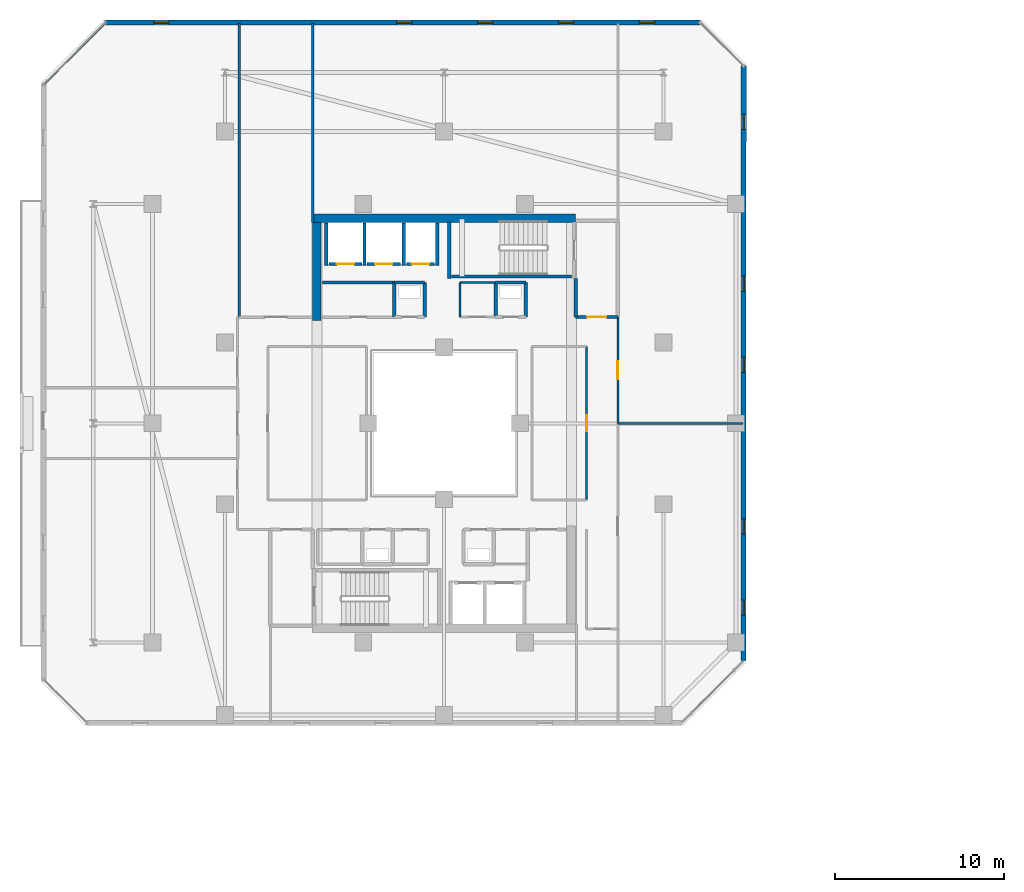
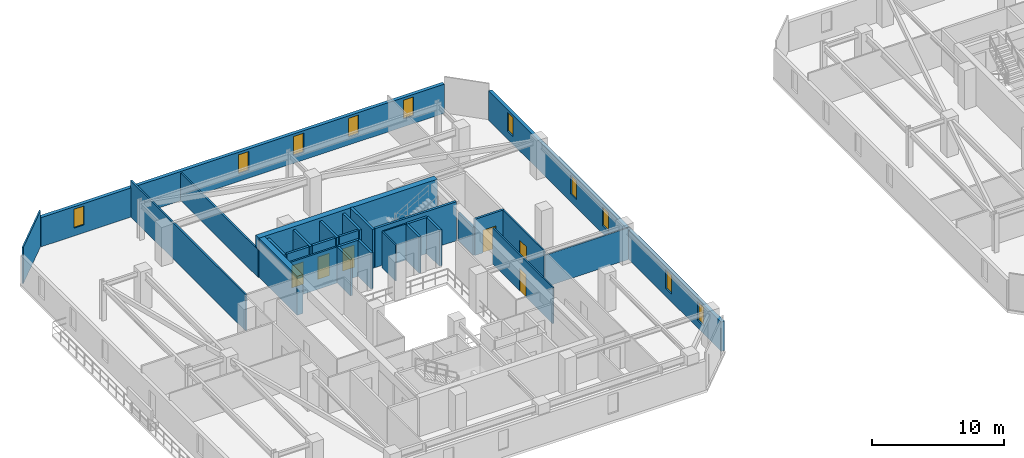
# One storey, part 21 of 33: 30 walls, 10 windows, 6 doors, 16 openings.
"""IFC4 building model written with IfcOpenShell, lengths in metres."""

from ifc_helpers import new_model, si_unit, direction, frame, frame_2d, origin, place, context, subcontext, project, spatial, rectangle, extrude, material, layer, layer_set, type_object, element, fill, save


model = new_model("IFC4")

# Units and contexts
model_context = context("Model", 3, precision=1e-05, world=origin(), true_north=direction((0.0, 1.0)))
body_context = subcontext(model_context, "Body", "Model", "MODEL_VIEW")
ifc_project = project(units=[si_unit("LENGTHUNIT", "METRE"), si_unit("AREAUNIT", "SQUARE_METRE"), si_unit("VOLUMEUNIT", "CUBIC_METRE"), si_unit("PLANEANGLEUNIT", "RADIAN"), si_unit("MASSUNIT", "GRAM", prefix="KILO")], contexts=[model_context])

# Site, building, storey
site_placement = place(None, origin())
site = spatial("IfcSite", under=ifc_project, at=site_placement, CompositionType="ELEMENT")
building_placement = place(site_placement, origin())
building = spatial("IfcBuilding", under=site, at=building_placement, Name="Thornwick Lancets Civic Towers", CompositionType="ELEMENT")
storey_placement = place(building_placement, frame((0.0, 0.0, 207.300048828125)))
storey = spatial("IfcBuildingStorey", under=building, at=storey_placement, Name="L55", CompositionType="ELEMENT", Elevation=207.300048828125)

# Wall, opening, door
ifc_material_1 = material(Name="Concrete blockwork C40/50", Category="masonry")
ifc_layer_1 = layer(ifc_material_1, 0.199951171875, Name="Concrete blockwork C40/50")
ifc_layer_set_1 = layer_set([ifc_layer_1], Name="Concrete blockwork C40/50")
wall_type_1 = type_object("IfcWallType", Name="WALL_COMP_200", PredefinedType="STANDARD", material=ifc_layer_set_1)
wall_1_placement = place(storey_placement, frame((24.919921875, 36.449951171875, 0.0), z_axis=(0.0, 0.0, 1.0), x_axis=(-1.0, 0.0, 0.0)))
wall_1 = element("IfcWall", 1, at=wall_1_placement, inside=storey, type_object=wall_type_1, Name="L55 Hoistway Front Wall FL-A2", PredefinedType="STANDARD", context=body_context, shape_type="SweptSolid", body=[
    extrude(rectangle(XDim=1.639892578125, YDim=0.199951171875, at=frame_2d((0.81982421875, 0.0))), origin(), (0.0, 0.0, 1.0), 3.33984375),
])
opening_1_placement = place(wall_1_placement, frame((0.31005859375, 0.0, 0.0)))
opening_1 = element("IfcOpeningElement", 2, at=opening_1_placement, cuts=wall_1, Name="Opening LD-FL-A2", PredefinedType="OPENING", context=body_context, shape_type="SweptSolid", body=[
    extrude(rectangle(XDim=1.02001953125, YDim=2.06005859375, at=frame_2d((0.510009765625, 1.030029296875))), frame((0.0, 0.10986328125, 0.0), z_axis=(0.0, -1.0, 0.0), x_axis=(1.0, 0.0, 0.0)), (0.0, 0.0, 1.0), 0.219970703125),
])
ifc_material_2 = material(Name="Brushed bronze stainless steel", Category="steel")
door_type_1 = type_object("IfcDoorType", Name="DOOR_LIFT_SLIDE", OperationType="SLIDING_TO_LEFT", PredefinedType="DOOR", material=ifc_material_2)
door_1_placement = place(opening_1_placement, origin())
door_1 = element("IfcDoor", 3, at=door_1_placement, inside=storey, type_object=door_type_1, Name="L55 Sliding Lift Landing Door LD-FL-A2", OperationType="SLIDING_TO_LEFT", OverallHeight=2.06005859375, OverallWidth=1.02001953125, PredefinedType="DOOR", context=body_context, shape_type="SweptSolid", body=[
    extrude(rectangle(XDim=1.02001953125, YDim=2.06005859375, at=frame_2d((0.510009765625, 1.030029296875))), frame((0.0, 0.02490234375, 0.0), z_axis=(0.0, -1.0, 0.0), x_axis=(1.0, 0.0, 0.0)), (0.0, 0.0, 1.0), 0.050048828125),
])
fill(opening_1, door_1)

wall_2_placement = place(storey_placement, frame((22.919921875, 36.449951171875, 0.0), z_axis=(0.0, 0.0, 1.0), x_axis=(-1.0, 0.0, 0.0)))
wall_2 = element("IfcWall", 4, at=wall_2_placement, inside=storey, type_object=wall_type_1, Name="L55 Hoistway Front Wall PL-AH2", PredefinedType="STANDARD", context=body_context, shape_type="SweptSolid", body=[
    extrude(rectangle(XDim=1.989990234375, YDim=0.199951171875, at=frame_2d((0.9951171875, 0.0))), origin(), (0.0, 0.0, 1.0), 3.33984375),
])
opening_2_placement = place(wall_2_placement, frame((0.485107421875, 0.0, 0.0)))
opening_2 = element("IfcOpeningElement", 5, at=opening_2_placement, cuts=wall_2, Name="Opening LD-PL-AH2", PredefinedType="OPENING", context=body_context, shape_type="SweptSolid", body=[
    extrude(rectangle(XDim=1.02001953125, YDim=2.06005859375, at=frame_2d((0.510009765625, 1.030029296875))), frame((0.0, 0.10986328125, 0.0), z_axis=(0.0, -1.0, 0.0), x_axis=(1.0, 0.0, 0.0)), (0.0, 0.0, 1.0), 0.219970703125),
])
door_2_placement = place(opening_2_placement, origin())
door_2 = element("IfcDoor", 6, at=door_2_placement, inside=storey, type_object=door_type_1, Name="L55 Sliding Lift Landing Door LD-PL-AH2", OperationType="SLIDING_TO_LEFT", OverallHeight=2.06005859375, OverallWidth=1.02001953125, PredefinedType="DOOR", context=body_context, shape_type="SweptSolid", body=[
    extrude(rectangle(XDim=1.02001953125, YDim=2.06005859375, at=frame_2d((0.510009765625, 1.030029296875))), frame((0.0, 0.02490234375, 0.0), z_axis=(0.0, -1.0, 0.0), x_axis=(1.0, 0.0, 0.0)), (0.0, 0.0, 1.0), 0.050048828125),
])
fill(opening_2, door_2)

wall_3_placement = place(storey_placement, frame((20.6201171875, 36.449951171875, 0.0), z_axis=(0.0, 0.0, 1.0), x_axis=(-1.0, 0.0, 0.0)))
wall_3 = element("IfcWall", 7, at=wall_3_placement, inside=storey, type_object=wall_type_1, Name="L55 Hoistway Front Wall PL-AH3", PredefinedType="STANDARD", context=body_context, shape_type="SweptSolid", body=[
    extrude(rectangle(XDim=1.940185546875, YDim=0.199951171875, at=frame_2d((0.97021484375, 0.0))), origin(), (0.0, 0.0, 1.0), 3.33984375),
])
opening_3_placement = place(wall_3_placement, frame((0.4599609375, 0.0, 0.0)))
opening_3 = element("IfcOpeningElement", 8, at=opening_3_placement, cuts=wall_3, Name="Opening LD-PL-AH3", PredefinedType="OPENING", context=body_context, shape_type="SweptSolid", body=[
    extrude(rectangle(XDim=1.02001953125, YDim=2.06005859375, at=frame_2d((0.510009765625, 1.030029296875))), frame((0.0, 0.10986328125, 0.0), z_axis=(0.0, -1.0, 0.0), x_axis=(1.0, 0.0, 0.0)), (0.0, 0.0, 1.0), 0.219970703125),
])
door_3_placement = place(opening_3_placement, origin())
door_3 = element("IfcDoor", 9, at=door_3_placement, inside=storey, type_object=door_type_1, Name="L55 Sliding Lift Landing Door LD-PL-AH3", OperationType="SLIDING_TO_LEFT", OverallHeight=2.06005859375, OverallWidth=1.02001953125, PredefinedType="DOOR", context=body_context, shape_type="SweptSolid", body=[
    extrude(rectangle(XDim=1.02001953125, YDim=2.06005859375, at=frame_2d((0.510009765625, 1.030029296875))), frame((0.0, 0.02490234375, 0.0), z_axis=(0.0, -1.0, 0.0), x_axis=(1.0, 0.0, 0.0)), (0.0, 0.0, 1.0), 0.050048828125),
])
fill(opening_3, door_3)

# Walls
for number, where, z_axis, x_axis, name in (
    (10, (25.10009765625, 36.35205078125, 0.0), (0.0, 0.0, 1.0), (0.0, 1.0, 0.0), "L55 Hoistway Shaft Wall FL-A2 E"),
    (11, (23.10009765625, 36.35205078125, 0.0), (0.0, 0.0, 1.0), (0.0, 1.0, 0.0), "L55 Hoistway Shaft Wall FL-A2 W"),
    (12, (20.77490234375, 36.35205078125, 0.0), (0.0, 0.0, 1.0), (0.0, 1.0, 0.0), "L55 Hoistway Shaft Wall PL-AH2 W"),
    (13, (18.5, 36.35205078125, 0.0), (0.0, 0.0, 1.0), (0.0, 1.0, 0.0), "L55 Hoistway Shaft Wall PL-AH3 W"),
):
    element("IfcWall", number, at=place(storey_placement, frame(where, z_axis=z_axis, x_axis=x_axis)), inside=storey, type_object=wall_type_1, Name=name, PredefinedType="STANDARD", context=body_context, shape_type="SweptSolid", body=[
        extrude(rectangle(XDim=2.535888671875, YDim=0.199951171875, at=frame_2d((1.26806640625, 0.0))), origin(), (0.0, 0.0, 1.0), 3.33984375),
    ])

# Wall, opening, door
wall_4_placement = place(storey_placement, frame((33.300048828125, 33.300048828125, 0.0), z_axis=(0.0, 0.0, 1.0), x_axis=(1.0, 0.0, 0.0)))
wall_4 = element("IfcWall", 14, at=wall_4_placement, inside=storey, type_object=wall_type_1, Name="L55 Partition L55-A-FFLOB2 E1", PredefinedType="STANDARD", context=body_context, shape_type="SweptSolid", body=[
    extrude(rectangle(XDim=2.5, YDim=0.199951171875, at=frame_2d((1.25, 0.0))), origin(), (0.0, 0.0, 1.0), 3.33984375),
])
opening_4_placement = place(wall_4_placement, frame((0.675048828125, 0.0, 0.0)))
opening_4 = element("IfcOpeningElement", 15, at=opening_4_placement, cuts=wall_4, Name="Opening D-L55-2434", PredefinedType="OPENING", context=body_context, shape_type="SweptSolid", body=[
    extrude(rectangle(XDim=1.14990234375, YDim=2.10009765625, at=frame_2d((0.574951171875, 1.050048828125))), frame((0.0, 0.10986328125, 0.0), z_axis=(0.0, -1.0, 0.0), x_axis=(1.0, 0.0, 0.0)), (0.0, 0.0, 1.0), 0.219970703125),
])
ifc_material_3 = material(Name="Glazed fire-resisting steel", Category="steel")
door_type_2 = type_object("IfcDoorType", Name="DOOR_LOBBY_FD60", OperationType="NOTDEFINED", PredefinedType="DOOR", material=ifc_material_3)
door_4_placement = place(opening_4_placement, origin())
door_4 = element("IfcDoor", 16, at=door_4_placement, inside=storey, type_object=door_type_2, Name="L55 North Firefighting Lobby 2 Door", OperationType="SINGLE_SWING_LEFT", OverallHeight=2.10009765625, OverallWidth=1.14990234375, PredefinedType="DOOR", context=body_context, shape_type="SweptSolid", body=[
    extrude(rectangle(XDim=1.14990234375, YDim=2.10009765625, at=frame_2d((0.574951171875, 1.050048828125))), frame((0.0, 0.02490234375, 0.0), z_axis=(0.0, -1.0, 0.0), x_axis=(1.0, 0.0, 0.0)), (0.0, 0.0, 1.0), 0.050048828125),
])
fill(opening_4, door_4)

# Walls
wall_5_placement = place(storey_placement, frame((33.300048828125, 35.60009765625, 0.0), z_axis=(0.0, 0.0, 1.0), x_axis=(0.0, -1.0, 0.0)))
element("IfcWall", 17, at=wall_5_placement, inside=storey, type_object=wall_type_1, Name="L55 Partition L55-A-FFLOB2 E4", PredefinedType="STANDARD", context=body_context, shape_type="SweptSolid", body=[
    extrude(rectangle(XDim=2.300048828125, YDim=0.199951171875, at=frame_2d((1.14990234375, 0.0))), origin(), (0.0, 0.0, 1.0), 2.544921875),
])
wall_6_placement = place(storey_placement, frame((24.35009765625, 33.300048828125, 0.0), z_axis=(0.0, 0.0, 1.0), x_axis=(0.0, 1.0, 0.0)))
element("IfcWall", 18, at=wall_6_placement, inside=storey, type_object=wall_type_1, Name="L55 Partition L55-A-DUCT2 E2", PredefinedType="STANDARD", context=body_context, shape_type="SweptSolid", body=[
    extrude(rectangle(XDim=2.050048828125, YDim=0.199951171875, at=frame_2d((1.02490234375, 0.0))), origin(), (0.0, 0.0, 1.0), 3.33984375),
])
wall_7_placement = place(storey_placement, frame((24.35009765625, 35.35009765625, 0.0), z_axis=(0.0, 0.0, 1.0), x_axis=(-1.0, 0.0, 0.0)))
element("IfcWall", 19, at=wall_7_placement, inside=storey, type_object=wall_type_1, Name="L55 Partition L55-A-DUCT2 E3", PredefinedType="STANDARD", context=body_context, shape_type="SweptSolid", body=[
    extrude(rectangle(XDim=1.800048828125, YDim=0.199951171875, at=frame_2d((0.89990234375, 0.0))), origin(), (0.0, 0.0, 1.0), 3.33984375),
])
for number, where, z_axis, x_axis, name in (
    (20, (22.550048828125, 35.35009765625, 0.0), (0.0, 0.0, 1.0), (0.0, -1.0, 0.0), "L55 Partition L55-A-DUCT2 E4"),
    (21, (30.35009765625, 33.300048828125, 0.0), (0.0, 0.0, 1.0), (0.0, 1.0, 0.0), "L55 Partition L55-A-RISER2 E2"),
):
    element("IfcWall", number, at=place(storey_placement, frame(where, z_axis=z_axis, x_axis=x_axis)), inside=storey, type_object=wall_type_1, Name=name, PredefinedType="STANDARD", context=body_context, shape_type="SweptSolid", body=[
        extrude(rectangle(XDim=2.050048828125, YDim=0.199951171875, at=frame_2d((1.02490234375, 0.0))), origin(), (0.0, 0.0, 1.0), 3.33984375),
    ])
wall_8_placement = place(storey_placement, frame((30.35009765625, 35.35009765625, 0.0), z_axis=(0.0, 0.0, 1.0), x_axis=(-1.0, 0.0, 0.0)))
element("IfcWall", 22, at=wall_8_placement, inside=storey, type_object=wall_type_1, Name="L55 Partition L55-A-RISER2 E3", PredefinedType="STANDARD", context=body_context, shape_type="SweptSolid", body=[
    extrude(rectangle(XDim=1.800048828125, YDim=0.199951171875, at=frame_2d((0.89990234375, 0.0))), origin(), (0.0, 0.0, 1.0), 3.33984375),
])
wall_9_placement = place(storey_placement, frame((28.550048828125, 35.35009765625, 0.0), z_axis=(0.0, 0.0, 1.0), x_axis=(0.0, -1.0, 0.0)))
element("IfcWall", 23, at=wall_9_placement, inside=storey, type_object=wall_type_1, Name="L55 Partition L55-A-RISER2 E4", PredefinedType="STANDARD", context=body_context, shape_type="SweptSolid", body=[
    extrude(rectangle(XDim=2.050048828125, YDim=0.199951171875, at=frame_2d((1.02490234375, 0.0))), origin(), (0.0, 0.0, 1.0), 3.33984375),
])
ifc_material_4 = material(Name="Concrete C50/60", Category="concrete")
ifc_layer_2 = layer(ifc_material_4, 0.5, Name="Concrete C50/60")
ifc_layer_set_2 = layer_set([ifc_layer_2], Name="Concrete C50/60")
wall_type_2 = type_object("IfcWallType", Name="WALL_CORE_500", PredefinedType="SHEAR", material=ifc_layer_set_2)
wall_10_placement = place(storey_placement, frame((17.699951171875, 39.14990234375, 0.0), z_axis=(0.0, 0.0, 1.0), x_axis=(1.0, 0.0, 0.0)))
element("IfcWall", 24, at=wall_10_placement, inside=storey, type_object=wall_type_2, Name="L55 Split Core A2 Shear Wall N", PredefinedType="SHEAR", context=body_context, shape_type="SweptSolid", body=[
    extrude(rectangle(XDim=15.60009765625, YDim=0.5, at=frame_2d((7.800048828125, 0.0))), origin(), (0.0, 0.0, 1.0), 3.599853515625),
])
wall_11_placement = place(storey_placement, frame((17.949951171875, 33.10009765625, 0.0), z_axis=(0.0, 0.0, 1.0), x_axis=(0.0, 1.0, 0.0)))
element("IfcWall", 25, at=wall_11_placement, inside=storey, type_object=wall_type_2, Name="L55 Split Core A2 Shear Wall W", PredefinedType="SHEAR", context=body_context, shape_type="SweptSolid", body=[
    extrude(rectangle(XDim=5.7998046875, YDim=0.5, at=frame_2d((2.89990234375, 0.0))), origin(), (0.0, 0.0, 1.0), 3.599853515625),
])

# Wall, openings, windows
ifc_material_5 = material(Name="Insulated russet terracotta rainscreen on concrete C40/50", Category="masonry")
ifc_layer_3 = layer(ifc_material_5, 0.300048828125, Name="Insulated russet terracotta rainscreen on concrete C40/50")
ifc_layer_set_3 = layer_set([ifc_layer_3], Name="Insulated russet terracotta rainscreen on concrete C40/50")
wall_type_3 = type_object("IfcWallType", Name="WALL_EXT_RUSSET_300", PredefinedType="STANDARD", material=ifc_layer_set_3)
wall_12_placement = place(storey_placement, frame((43.260986328125, 12.92236328125, 0.0), z_axis=(0.0, 0.0, 1.0), x_axis=(0.000103863011, 0.999999994606, 0.0)))
wall_12 = element("IfcWall", 26, at=wall_12_placement, inside=storey, type_object=wall_type_3, Name="L55 Tower A Terracotta Facade Wall E2", PredefinedType="STANDARD", context=body_context, shape_type="SweptSolid", body=[
    extrude(rectangle(XDim=35.259033203125, YDim=0.300048828125, at=frame_2d((17.62939453125, 0.0))), origin(), (0.0, 0.0, 1.0), 2.699951171875),
])
opening_5_placement = place(wall_12_placement, frame((2.699951171875, 0.0, 0.719970703125)))
opening_5 = element("IfcOpeningElement", 27, at=opening_5_placement, cuts=wall_12, Name="Opening WL-01", PredefinedType="OPENING", context=body_context, shape_type="SweptSolid", body=[
    extrude(rectangle(XDim=0.89990234375, YDim=1.75, at=frame_2d((0.449951171875, 0.875))), frame((0.0, 0.16015625, 0.0), z_axis=(0.0, -1.0, 0.0), x_axis=(1.0, 0.0, 0.0)), (0.0, 0.0, 1.0), 0.320068359375),
])
opening_6_placement = place(wall_12_placement, frame((7.5, 0.0, 0.719970703125)))
opening_6 = element("IfcOpeningElement", 28, at=opening_6_placement, cuts=wall_12, Name="Opening WL-01", PredefinedType="OPENING", context=body_context, shape_type="SweptSolid", body=[
    extrude(rectangle(XDim=0.89990234375, YDim=1.75, at=frame_2d((0.449951171875, 0.875))), frame((0.0, 0.16015625, 0.0), z_axis=(0.0, -1.0, 0.0), x_axis=(1.0, 0.0, 0.0)), (0.0, 0.0, 1.0), 0.320068359375),
])
opening_7_placement = place(wall_12_placement, frame((17.10009765625, 0.0, 0.719970703125)))
opening_7 = element("IfcOpeningElement", 29, at=opening_7_placement, cuts=wall_12, Name="Opening WL-01", PredefinedType="OPENING", context=body_context, shape_type="SweptSolid", body=[
    extrude(rectangle(XDim=0.89990234375, YDim=1.75, at=frame_2d((0.449951171875, 0.875))), frame((0.0, 0.16015625, 0.0), z_axis=(0.0, -1.0, 0.0), x_axis=(1.0, 0.0, 0.0)), (0.0, 0.0, 1.0), 0.320068359375),
])
opening_8_placement = place(wall_12_placement, frame((21.89990234375, 0.0, 0.719970703125)))
opening_8 = element("IfcOpeningElement", 30, at=opening_8_placement, cuts=wall_12, Name="Opening WL-01", PredefinedType="OPENING", context=body_context, shape_type="SweptSolid", body=[
    extrude(rectangle(XDim=0.89990234375, YDim=1.75, at=frame_2d((0.449951171875, 0.875))), frame((0.0, 0.16015625, 0.0), z_axis=(0.0, -1.0, 0.0), x_axis=(1.0, 0.0, 0.0)), (0.0, 0.0, 1.0), 0.320068359375),
])
opening_9_placement = place(wall_12_placement, frame((31.5, 0.0, 0.719970703125)))
opening_9 = element("IfcOpeningElement", 31, at=opening_9_placement, cuts=wall_12, Name="Opening WL-01", PredefinedType="OPENING", context=body_context, shape_type="SweptSolid", body=[
    extrude(rectangle(XDim=0.89990234375, YDim=1.75, at=frame_2d((0.449951171875, 0.875))), frame((0.0, 0.16015625, 0.0), z_axis=(0.0, -1.0, 0.0), x_axis=(1.0, 0.0, 0.0)), (0.0, 0.0, 1.0), 0.320068359375),
])
ifc_material_6 = material(Name="Clear low-e double glazing in bronze frame", Category="glass")
window_type = type_object("IfcWindowType", Name="WIN_LANCET_900", PartitioningType="SINGLE_PANEL", PredefinedType="WINDOW", material=ifc_material_6)
window_1_placement = place(opening_5_placement, origin())
window_1 = element("IfcWindow", 32, at=window_1_placement, inside=storey, type_object=window_type, Name="L55 Tower A Staggered Lancet Window E2-1", OverallHeight=1.75, OverallWidth=0.89990234375, PartitioningType="SINGLE_PANEL", PredefinedType="WINDOW", context=body_context, shape_type="SweptSolid", body=[
    extrude(rectangle(XDim=0.89990234375, YDim=1.75, at=frame_2d((0.449951171875, 0.875))), frame((0.0, 0.030029296875, 0.0), z_axis=(0.0, -1.0, 0.0), x_axis=(1.0, 0.0, 0.0)), (0.0, 0.0, 1.0), 0.06005859375),
])
fill(opening_5, window_1)
window_2_placement = place(opening_6_placement, origin())
window_2 = element("IfcWindow", 33, at=window_2_placement, inside=storey, type_object=window_type, Name="L55 Tower A Staggered Lancet Window E2-2", OverallHeight=1.75, OverallWidth=0.89990234375, PartitioningType="SINGLE_PANEL", PredefinedType="WINDOW", context=body_context, shape_type="SweptSolid", body=[
    extrude(rectangle(XDim=0.89990234375, YDim=1.75, at=frame_2d((0.449951171875, 0.875))), frame((0.0, 0.030029296875, 0.0), z_axis=(0.0, -1.0, 0.0), x_axis=(1.0, 0.0, 0.0)), (0.0, 0.0, 1.0), 0.06005859375),
])
fill(opening_6, window_2)
window_3_placement = place(opening_7_placement, origin())
window_3 = element("IfcWindow", 34, at=window_3_placement, inside=storey, type_object=window_type, Name="L55 Tower A Staggered Lancet Window E2-3", OverallHeight=1.75, OverallWidth=0.89990234375, PartitioningType="SINGLE_PANEL", PredefinedType="WINDOW", context=body_context, shape_type="SweptSolid", body=[
    extrude(rectangle(XDim=0.89990234375, YDim=1.75, at=frame_2d((0.449951171875, 0.875))), frame((0.0, 0.030029296875, 0.0), z_axis=(0.0, -1.0, 0.0), x_axis=(1.0, 0.0, 0.0)), (0.0, 0.0, 1.0), 0.06005859375),
])
fill(opening_7, window_3)
window_4_placement = place(opening_8_placement, origin())
window_4 = element("IfcWindow", 35, at=window_4_placement, inside=storey, type_object=window_type, Name="L55 Tower A Staggered Lancet Window E2-4", OverallHeight=1.75, OverallWidth=0.89990234375, PartitioningType="SINGLE_PANEL", PredefinedType="WINDOW", context=body_context, shape_type="SweptSolid", body=[
    extrude(rectangle(XDim=0.89990234375, YDim=1.75, at=frame_2d((0.449951171875, 0.875))), frame((0.0, 0.030029296875, 0.0), z_axis=(0.0, -1.0, 0.0), x_axis=(1.0, 0.0, 0.0)), (0.0, 0.0, 1.0), 0.06005859375),
])
fill(opening_8, window_4)
window_5_placement = place(opening_9_placement, origin())
window_5 = element("IfcWindow", 36, at=window_5_placement, inside=storey, type_object=window_type, Name="L55 Tower A Staggered Lancet Window E2-5", OverallHeight=1.75, OverallWidth=0.89990234375, PartitioningType="SINGLE_PANEL", PredefinedType="WINDOW", context=body_context, shape_type="SweptSolid", body=[
    extrude(rectangle(XDim=0.89990234375, YDim=1.75, at=frame_2d((0.449951171875, 0.875))), frame((0.0, 0.030029296875, 0.0), z_axis=(0.0, -1.0, 0.0), x_axis=(1.0, 0.0, 0.0)), (0.0, 0.0, 1.0), 0.06005859375),
])
fill(opening_9, window_5)

wall_13_placement = place(storey_placement, frame((40.681396484375, 50.7646484375, 0.0), z_axis=(0.0, 0.0, 1.0), x_axis=(-0.999999994606, -0.000103863011, 0.0)))
wall_13 = element("IfcWall", 37, at=wall_13_placement, inside=storey, type_object=wall_type_3, Name="L55 Tower A Terracotta Facade Wall E4", PredefinedType="STANDARD", context=body_context, shape_type="SweptSolid", body=[
    extrude(rectangle(XDim=35.259033203125, YDim=0.300048828125, at=frame_2d((17.62939453125, 0.0))), origin(), (0.0, 0.0, 1.0), 2.699951171875),
])
opening_10_placement = place(wall_13_placement, frame((2.699951171875, 0.0, 0.719970703125)))
opening_10 = element("IfcOpeningElement", 38, at=opening_10_placement, cuts=wall_13, Name="Opening WL-01", PredefinedType="OPENING", context=body_context, shape_type="SweptSolid", body=[
    extrude(rectangle(XDim=0.89990234375, YDim=1.75, at=frame_2d((0.449951171875, 0.875))), frame((0.0, 0.16015625, 0.0), z_axis=(0.0, -1.0, 0.0), x_axis=(1.0, 0.0, 0.0)), (0.0, 0.0, 1.0), 0.320068359375),
])
opening_11_placement = place(wall_13_placement, frame((7.5, 0.0, 0.719970703125)))
opening_11 = element("IfcOpeningElement", 39, at=opening_11_placement, cuts=wall_13, Name="Opening WL-01", PredefinedType="OPENING", context=body_context, shape_type="SweptSolid", body=[
    extrude(rectangle(XDim=0.89990234375, YDim=1.75, at=frame_2d((0.449951171875, 0.875))), frame((0.0, 0.16015625, 0.0), z_axis=(0.0, -1.0, 0.0), x_axis=(1.0, 0.0, 0.0)), (0.0, 0.0, 1.0), 0.320068359375),
])
opening_12_placement = place(wall_13_placement, frame((12.300048828125, 0.0, 0.719970703125)))
opening_12 = element("IfcOpeningElement", 40, at=opening_12_placement, cuts=wall_13, Name="Opening WL-01", PredefinedType="OPENING", context=body_context, shape_type="SweptSolid", body=[
    extrude(rectangle(XDim=0.89990234375, YDim=1.75, at=frame_2d((0.449951171875, 0.875))), frame((0.0, 0.16015625, 0.0), z_axis=(0.0, -1.0, 0.0), x_axis=(1.0, 0.0, 0.0)), (0.0, 0.0, 1.0), 0.320068359375),
])
opening_13_placement = place(wall_13_placement, frame((17.10009765625, 0.0, 0.719970703125)))
opening_13 = element("IfcOpeningElement", 41, at=opening_13_placement, cuts=wall_13, Name="Opening WL-01", PredefinedType="OPENING", context=body_context, shape_type="SweptSolid", body=[
    extrude(rectangle(XDim=0.89990234375, YDim=1.75, at=frame_2d((0.449951171875, 0.875))), frame((0.0, 0.16015625, 0.0), z_axis=(0.0, -1.0, 0.0), x_axis=(1.0, 0.0, 0.0)), (0.0, 0.0, 1.0), 0.320068359375),
])
opening_14_placement = place(wall_13_placement, frame((31.5, 0.0, 0.719970703125)))
opening_14 = element("IfcOpeningElement", 42, at=opening_14_placement, cuts=wall_13, Name="Opening WL-01", PredefinedType="OPENING", context=body_context, shape_type="SweptSolid", body=[
    extrude(rectangle(XDim=0.89990234375, YDim=1.75, at=frame_2d((0.449951171875, 0.875))), frame((0.0, 0.16015625, 0.0), z_axis=(0.0, -1.0, 0.0), x_axis=(1.0, 0.0, 0.0)), (0.0, 0.0, 1.0), 0.320068359375),
])
window_6_placement = place(opening_10_placement, origin())
window_6 = element("IfcWindow", 43, at=window_6_placement, inside=storey, type_object=window_type, Name="L55 Tower A Staggered Lancet Window E4-1", OverallHeight=1.75, OverallWidth=0.89990234375, PartitioningType="SINGLE_PANEL", PredefinedType="WINDOW", context=body_context, shape_type="SweptSolid", body=[
    extrude(rectangle(XDim=0.89990234375, YDim=1.75, at=frame_2d((0.449951171875, 0.875))), frame((0.0, 0.030029296875, 0.0), z_axis=(0.0, -1.0, 0.0), x_axis=(1.0, 0.0, 0.0)), (0.0, 0.0, 1.0), 0.06005859375),
])
fill(opening_10, window_6)
window_7_placement = place(opening_11_placement, origin())
window_7 = element("IfcWindow", 44, at=window_7_placement, inside=storey, type_object=window_type, Name="L55 Tower A Staggered Lancet Window E4-2", OverallHeight=1.75, OverallWidth=0.89990234375, PartitioningType="SINGLE_PANEL", PredefinedType="WINDOW", context=body_context, shape_type="SweptSolid", body=[
    extrude(rectangle(XDim=0.89990234375, YDim=1.75, at=frame_2d((0.449951171875, 0.875))), frame((0.0, 0.030029296875, 0.0), z_axis=(0.0, -1.0, 0.0), x_axis=(1.0, 0.0, 0.0)), (0.0, 0.0, 1.0), 0.06005859375),
])
fill(opening_11, window_7)
window_8_placement = place(opening_12_placement, origin())
window_8 = element("IfcWindow", 45, at=window_8_placement, inside=storey, type_object=window_type, Name="L55 Tower A Staggered Lancet Window E4-3", OverallHeight=1.75, OverallWidth=0.89990234375, PartitioningType="SINGLE_PANEL", PredefinedType="WINDOW", context=body_context, shape_type="SweptSolid", body=[
    extrude(rectangle(XDim=0.89990234375, YDim=1.75, at=frame_2d((0.449951171875, 0.875))), frame((0.0, 0.030029296875, 0.0), z_axis=(0.0, -1.0, 0.0), x_axis=(1.0, 0.0, 0.0)), (0.0, 0.0, 1.0), 0.06005859375),
])
fill(opening_12, window_8)
window_9_placement = place(opening_13_placement, origin())
window_9 = element("IfcWindow", 46, at=window_9_placement, inside=storey, type_object=window_type, Name="L55 Tower A Staggered Lancet Window E4-4", OverallHeight=1.75, OverallWidth=0.89990234375, PartitioningType="SINGLE_PANEL", PredefinedType="WINDOW", context=body_context, shape_type="SweptSolid", body=[
    extrude(rectangle(XDim=0.89990234375, YDim=1.75, at=frame_2d((0.449951171875, 0.875))), frame((0.0, 0.030029296875, 0.0), z_axis=(0.0, -1.0, 0.0), x_axis=(1.0, 0.0, 0.0)), (0.0, 0.0, 1.0), 0.06005859375),
])
fill(opening_13, window_9)
window_10_placement = place(opening_14_placement, origin())
window_10 = element("IfcWindow", 47, at=window_10_placement, inside=storey, type_object=window_type, Name="L55 Tower A Staggered Lancet Window E4-5", OverallHeight=1.75, OverallWidth=0.89990234375, PartitioningType="SINGLE_PANEL", PredefinedType="WINDOW", context=body_context, shape_type="SweptSolid", body=[
    extrude(rectangle(XDim=0.89990234375, YDim=1.75, at=frame_2d((0.449951171875, 0.875))), frame((0.0, 0.030029296875, 0.0), z_axis=(0.0, -1.0, 0.0), x_axis=(1.0, 0.0, 0.0)), (0.0, 0.0, 1.0), 0.06005859375),
])
fill(opening_14, window_10)

# Walls
ifc_material_7 = material(Name="Acoustic gypsum board partition")
ifc_layer_4 = layer(ifc_material_7, 0.1201171875, Name="Acoustic gypsum board partition")
ifc_layer_set_4 = layer_set([ifc_layer_4], Name="Acoustic gypsum board partition")
wall_type_4 = type_object("IfcWallType", Name="WALL_PART_120", PredefinedType="PARTITIONING", material=ifc_layer_set_4)
wall_14_placement = place(storey_placement, frame((26.449951171875, 33.300048828125, 0.0), z_axis=(0.0, 0.0, 1.0), x_axis=(0.0, 1.0, 0.0)))
element("IfcWall", 48, at=wall_14_placement, inside=storey, type_object=wall_type_4, Name="L55 Partition L55-A-ITR E1", PredefinedType="PARTITIONING", context=body_context, shape_type="SweptSolid", body=[
    extrude(rectangle(XDim=2.050048828125, YDim=0.1201171875, at=frame_2d((1.02490234375, 0.0))), origin(), (0.0, 0.0, 1.0), 3.33984375),
])
wall_15_placement = place(storey_placement, frame((26.449951171875, 35.35009765625, 0.0), z_axis=(0.0, 0.0, 1.0), x_axis=(1.0, 0.0, 0.0)))
element("IfcWall", 49, at=wall_15_placement, inside=storey, type_object=wall_type_4, Name="L55 Partition L55-A-ITR E2", PredefinedType="PARTITIONING", context=body_context, shape_type="SweptSolid", body=[
    extrude(rectangle(XDim=2.10009765625, YDim=0.1201171875, at=frame_2d((1.050048828125, 0.0))), origin(), (0.0, 0.0, 1.0), 3.33984375),
])
wall_16_placement = place(storey_placement, frame((1.780029296875, 47.117431640625, 0.0), z_axis=(0.0, 0.0, 1.0), x_axis=(0.707106781187, 0.707106781187, 0.0)))
element("IfcWall", 50, at=wall_16_placement, inside=storey, type_object=wall_type_4, Name="L55 Partition L55-A-W2B E2", PredefinedType="PARTITIONING", context=body_context, shape_type="SweptSolid", body=[
    extrude(rectangle(XDim=5.0947265625, YDim=0.1201171875, at=frame_2d((2.54736328125, 0.0))), origin(), (0.0, 0.0, 1.0), 3.33984375),
])
wall_17_placement = place(storey_placement, frame((35.800048828125, 27.0, 0.0), z_axis=(0.0, 0.0, 1.0), x_axis=(1.0, 0.0, 0.0)))
element("IfcWall", 51, at=wall_17_placement, inside=storey, type_object=wall_type_4, Name="L55 Partition L55-A-E1 E4", PredefinedType="PARTITIONING", context=body_context, shape_type="SweptSolid", body=[
    extrude(rectangle(XDim=7.419921875, YDim=0.1201171875, at=frame_2d((3.7099609375, 0.0))), origin(), (0.0, 0.0, 1.0), 2.93212890625),
])

# Wall, opening, door
wall_18_placement = place(storey_placement, frame((35.800048828125, 27.0, 0.0), z_axis=(0.0, 0.0, 1.0), x_axis=(0.0, 1.0, 0.0)))
wall_18 = element("IfcWall", 52, at=wall_18_placement, inside=storey, type_object=wall_type_4, Name="L55 Partition L55-A-E2 E7", PredefinedType="PARTITIONING", context=body_context, shape_type="SweptSolid", body=[
    extrude(rectangle(XDim=6.300048828125, YDim=0.1201171875, at=frame_2d((3.14990234375, 0.0))), origin(), (0.0, 0.0, 1.0), 3.33984375),
])
opening_15_placement = place(wall_18_placement, frame((2.625, 0.0, 0.0)))
opening_15 = element("IfcOpeningElement", 53, at=opening_15_placement, cuts=wall_18, Name="Opening D-L55-2464", PredefinedType="OPENING", context=body_context, shape_type="SweptSolid", body=[
    extrude(rectangle(XDim=1.050048828125, YDim=2.10009765625, at=frame_2d((0.52490234375, 1.050048828125))), frame((0.0, 0.070068359375, 0.0), z_axis=(0.0, -1.0, 0.0), x_axis=(1.0, 0.0, 0.0)), (0.0, 0.0, 1.0), 0.14013671875),
])
ifc_material_8 = material(Name="Glazed European oak executive doorset")
door_type_3 = type_object("IfcDoorType", Name="DOOR_OFFICE_1050", OperationType="NOTDEFINED", PredefinedType="DOOR", material=ifc_material_8)
door_5_placement = place(opening_15_placement, origin())
door_5 = element("IfcDoor", 54, at=door_5_placement, inside=storey, type_object=door_type_3, Name="L55 Tower A Visitors Reception and Waiting Door", OperationType="SINGLE_SWING_LEFT", OverallHeight=2.10009765625, OverallWidth=1.050048828125, PredefinedType="DOOR", context=body_context, shape_type="SweptSolid", body=[
    extrude(rectangle(XDim=1.050048828125, YDim=2.10009765625, at=frame_2d((0.52490234375, 1.050048828125))), frame((0.0, 0.02490234375, 0.0), z_axis=(0.0, -1.0, 0.0), x_axis=(1.0, 0.0, 0.0)), (0.0, 0.0, 1.0), 0.050048828125),
])
fill(opening_15, door_5)

wall_19_placement = place(storey_placement, frame((33.949951171875, 31.550048828125, 0.0), z_axis=(0.0, 0.0, 1.0), x_axis=(0.0, -1.0, 0.0)))
wall_19 = element("IfcWall", 55, at=wall_19_placement, inside=storey, type_object=wall_type_4, Name="L55 Partition L55-A-E-ATRIUM-OFF E3", PredefinedType="PARTITIONING", context=body_context, shape_type="SweptSolid", body=[
    extrude(rectangle(XDim=9.10009765625, YDim=0.1201171875, at=frame_2d((4.550048828125, 0.0))), origin(), (0.0, 0.0, 1.0), 3.33984375),
])
opening_16_placement = place(wall_19_placement, frame((4.074951171875, 0.0, 0.0)))
opening_16 = element("IfcOpeningElement", 56, at=opening_16_placement, cuts=wall_19, Name="Opening D-L55-2465", PredefinedType="OPENING", context=body_context, shape_type="SweptSolid", body=[
    extrude(rectangle(XDim=0.949951171875, YDim=2.10009765625, at=frame_2d((0.47509765625, 1.050048828125))), frame((0.0, 0.070068359375, 0.0), z_axis=(0.0, -1.0, 0.0), x_axis=(1.0, 0.0, 0.0)), (0.0, 0.0, 1.0), 0.14013671875),
])
ifc_material_9 = material(Name="European oak acoustic doorset")
door_type_4 = type_object("IfcDoorType", Name="DOOR_OFFICE_950", OperationType="NOTDEFINED", PredefinedType="DOOR", material=ifc_material_9)
door_6_placement = place(opening_16_placement, origin())
door_6 = element("IfcDoor", 57, at=door_6_placement, inside=storey, type_object=door_type_4, Name="L55 Tower A Atrium Policy Office Door", OperationType="SINGLE_SWING_RIGHT", OverallHeight=2.10009765625, OverallWidth=0.949951171875, PredefinedType="DOOR", context=body_context, shape_type="SweptSolid", body=[
    extrude(rectangle(XDim=0.949951171875, YDim=2.10009765625, at=frame_2d((0.47509765625, 1.050048828125))), frame((0.0, 0.02490234375, 0.0), z_axis=(0.0, -1.0, 0.0), x_axis=(1.0, 0.0, 0.0)), (0.0, 0.0, 1.0), 0.050048828125),
])
fill(opening_16, door_6)

# Walls
ifc_material_10 = material(Name="Twin-stud acoustic gypsum board")
ifc_layer_5 = layer(ifc_material_10, 0.14990234375, Name="Twin-stud acoustic gypsum board")
ifc_layer_set_5 = layer_set([ifc_layer_5], Name="Twin-stud acoustic gypsum board")
wall_type_5 = type_object("IfcWallType", Name="WALL_PART_150", PredefinedType="PARTITIONING", material=ifc_layer_set_5)
wall_20_placement = place(storey_placement, frame((18.300048828125, 35.35009765625, 0.0), z_axis=(0.0, 0.0, 1.0), x_axis=(1.0, 0.0, 0.0)))
element("IfcWall", 58, at=wall_20_placement, inside=storey, type_object=wall_type_5, Name="L55 Partition L55-A-FWC E2", PredefinedType="PARTITIONING", context=body_context, shape_type="SweptSolid", body=[
    extrude(rectangle(XDim=4.25, YDim=0.14990234375, at=frame_2d((2.125, 0.0))), origin(), (0.0, 0.0, 1.0), 3.33984375),
])
wall_21_placement = place(storey_placement, frame((13.35009765625, 33.300048828125, 0.0), z_axis=(0.0, 0.0, 1.0), x_axis=(0.0, 1.0, 0.0)))
element("IfcWall", 59, at=wall_21_placement, inside=storey, type_object=wall_type_5, Name="L55 Partition L55-A-RECLAIM-M1 E1", PredefinedType="PARTITIONING", context=body_context, shape_type="SweptSolid", body=[
    extrude(rectangle(XDim=17.419921875, YDim=0.14990234375, at=frame_2d((8.7099609375, 0.0))), origin(), (0.0, 0.0, 1.0), 3.33984375),
])
wall_22_placement = place(storey_placement, frame((17.699951171875, 50.719970703125, 0.0), z_axis=(0.0, 0.0, 1.0), x_axis=(0.0, -1.0, 0.0)))
element("IfcWall", 60, at=wall_22_placement, inside=storey, type_object=wall_type_5, Name="L55 Partition L55-A-RECLAIM-M1 E3", PredefinedType="PARTITIONING", context=body_context, shape_type="SweptSolid", body=[
    extrude(rectangle(XDim=11.820068359375, YDim=0.14990234375, at=frame_2d((5.91015625, 0.0))), origin(), (0.0, 0.0, 1.0), 2.544921875),
])
ifc_material_11 = material(Name="Concrete C40/50", Category="concrete")
ifc_layer_6 = layer(ifc_material_11, 0.199951171875, Name="Concrete C40/50")
ifc_layer_set_6 = layer_set([ifc_layer_6], Name="Concrete C40/50")
wall_type_6 = type_object("IfcWallType", Name="WALL_SHAFT_200", PredefinedType="SHEAR", material=ifc_layer_set_6)
wall_23_placement = place(storey_placement, frame((25.800048828125, 35.60009765625, 0.0), z_axis=(0.0, 0.0, 1.0), x_axis=(0.0, 1.0, 0.0)))
element("IfcWall", 61, at=wall_23_placement, inside=storey, type_object=wall_type_6, Name="L55 ST-A2 Fire Stair Core Wall FAR", PredefinedType="SHEAR", context=body_context, shape_type="SweptSolid", body=[
    extrude(rectangle(XDim=3.349853515625, YDim=0.199951171875, at=frame_2d((1.6748046875, 0.0))), origin(), (0.0, 0.0, 1.0), 3.599853515625),
])
wall_24_placement = place(storey_placement, frame((25.949951171875, 35.702880859375, 0.0), z_axis=(0.0, 0.0, 1.0), x_axis=(1.0, 0.0, 0.0)))
element("IfcWall", 62, at=wall_24_placement, inside=storey, type_object=wall_type_6, Name="L55 ST-A2 Fire Stair Core Wall RIGHT", PredefinedType="SHEAR", context=body_context, shape_type="SweptSolid", body=[
    extrude(rectangle(XDim=7.10009765625, YDim=0.199951171875, at=frame_2d((3.550048828125, 0.0))), origin(), (0.0, 0.0, 1.0), 3.599853515625),
])

save(model, "model.ifc")
